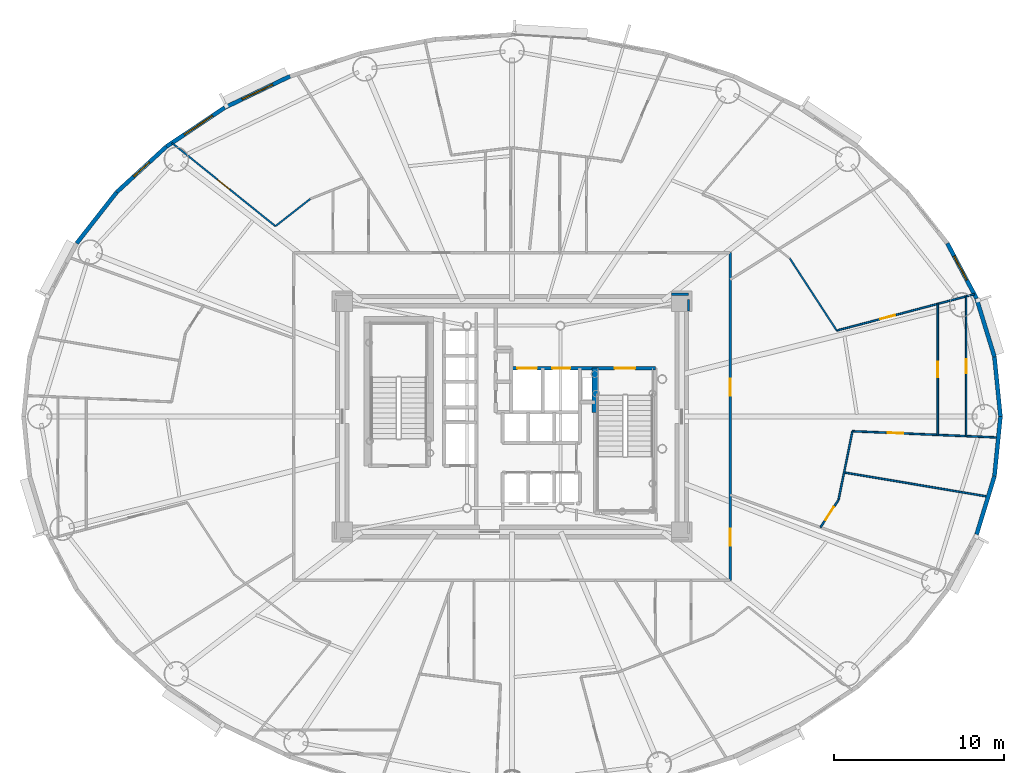
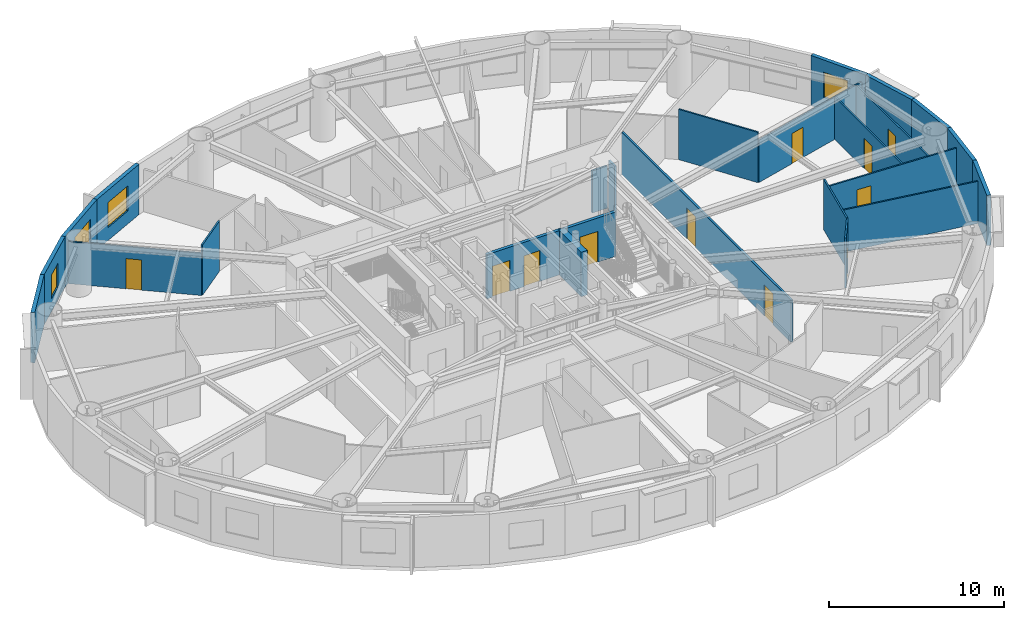
# One storey, part 11 of 18: 24 walls, 11 doors, 4 windows, 15 openings.
"""IFC4 building model written with IfcOpenShell, lengths in metres."""

from ifc_helpers import new_model, si_unit, direction, frame, frame_2d, origin, origin_2d, place, context, subcontext, project, spatial, rectangle, extrude, source, transform, mapped, material, layer, layer_set, type_object, element, fill, save


model = new_model("IFC4")

# Units and contexts
model_context = context("Model", 3, precision=1e-05, world=origin(), true_north=direction((0.0, 1.0)))
body_context = subcontext(model_context, "Body", "Model", "MODEL_VIEW")
ifc_project = project(units=[si_unit("LENGTHUNIT", "METRE"), si_unit("AREAUNIT", "SQUARE_METRE"), si_unit("VOLUMEUNIT", "CUBIC_METRE"), si_unit("PLANEANGLEUNIT", "RADIAN"), si_unit("MASSUNIT", "GRAM", prefix="KILO")], contexts=[model_context])

# Site, building, storey
site_placement = place(None, origin())
site = spatial("IfcSite", under=ifc_project, at=site_placement, CompositionType="ELEMENT")
building_placement = place(site_placement, origin())
building = spatial("IfcBuilding", under=site, at=building_placement, Name="Linh Dai School and Residence Tower", CompositionType="ELEMENT")
storey_placement = place(building_placement, frame((0.0, 0.0, 123.449951171875)))
storey = spatial("IfcBuildingStorey", under=building, at=storey_placement, Name="L29", CompositionType="ELEMENT", Elevation=123.449951171875)

# Walls
ifc_material_1 = material(Name="Precast Concrete B45 (C35/45)", Category="concrete")
ifc_layer_1 = layer(ifc_material_1, 0.239990234375)
ifc_layer_set_1 = layer_set([ifc_layer_1], Name="Precast Concrete B45 (C35/45)")
wall_type_1 = type_object("IfcWallType", Name="EW-TC-240", PredefinedType="SOLIDWALL", material=ifc_layer_set_1)
wall_1_placement = place(storey_placement, frame((64.421630859375, 30.515380859375, 0.0), z_axis=(0.0, 0.0, 1.0), x_axis=(0.099989468229, -0.994988495533, 0.0)))
element("IfcWall", 1, at=wall_1_placement, inside=storey, type_object=wall_type_1, Name="L29 Terracotta Exterior Wall 01", PredefinedType="SOLIDWALL", context=body_context, shape_type="SweptSolid", body=[
    extrude(rectangle(XDim=3.533203125, YDim=0.239990234375, at=frame_2d((1.7666015625, 0.0))), origin(), (0.0, 0.0, 1.0), 3.5),
])
wall_2_placement = place(storey_placement, frame((63.3701171875, 33.945068359375, 0.0), z_axis=(0.0, 0.0, 1.0), x_axis=(0.293124431344, -0.956074300329, 0.0)))
element("IfcWall", 2, at=wall_2_placement, inside=storey, type_object=wall_type_1, Name="L29 Terracotta Exterior Wall 02", PredefinedType="SOLIDWALL", context=body_context, shape_type="SweptSolid", body=[
    extrude(rectangle(XDim=3.587158203125, YDim=0.239990234375, at=frame_2d((1.79345703125, 0.0))), origin(), (0.0, 0.0, 1.0), 3.5),
])

# Wall, opening, window
wall_3_placement = place(storey_placement, frame((61.645263671875, 37.20556640625, 0.0), z_axis=(0.0, 0.0, 1.0), x_axis=(0.467614004126, -0.883932770716, 0.0)))
wall_3 = element("IfcWall", 3, at=wall_3_placement, inside=storey, type_object=wall_type_1, Name="L29 Terracotta Exterior Wall 03", PredefinedType="SOLIDWALL", context=body_context, shape_type="SweptSolid", body=[
    extrude(rectangle(XDim=3.688720703125, YDim=0.239990234375, at=frame_2d((1.84423828125, 0.0))), origin(), (0.0, 0.0, 1.0), 3.5),
])
opening_1_placement = place(wall_3_placement, frame((0.845947265625, 0.0, 0.89990234375)))
opening_1 = element("IfcOpeningElement", 4, at=opening_1_placement, cuts=wall_3, Name="Opening W2", PredefinedType="OPENING", context=body_context, shape_type="SweptSolid", body=[
    extrude(rectangle(XDim=1.60009765625, YDim=1.75, at=origin_2d()), frame((0.800048828125, 0.1298828125, 0.875), z_axis=(0.0, -1.0, 0.0), x_axis=(1.0, 0.0, 0.0)), (0.0, 0.0, 1.0), 0.260009765625),
])
ifc_material_2 = material(Name="Double Low-E Insulated Glazing", Category="glass")
window_type_1 = type_object("IfcWindowType", Name="WN-RES-1600x1750", PartitioningType="DOUBLE_PANEL_VERTICAL", PredefinedType="WINDOW", material=ifc_material_2)
shared_shape_1 = source(origin(), body_context, "Body", "SweptSolid", [
    extrude(rectangle(XDim=1.60009765625, YDim=1.75, at=origin_2d()), frame((0.800048828125, 0.030029296875, 0.875), z_axis=(0.0, -1.0, 0.0), x_axis=(1.0, 0.0, 0.0)), (0.0, 0.0, 1.0), 0.06005859375),
])
window_1_placement = place(opening_1_placement, origin())
window_1 = element("IfcWindow", 5, at=window_1_placement, inside=storey, type_object=window_type_1, Name="L29 Exterior Window 03.1", OverallHeight=1.75, OverallWidth=1.60009765625, PartitioningType="DOUBLE_PANEL_VERTICAL", PredefinedType="WINDOW", context=body_context, shape_type="MappedRepresentation", body=[
    mapped(shared_shape_1, transform((0.0, 0.0, 0.0), x_axis=(1.0, 0.0, 0.0), y_axis=(0.0, 1.0, 0.0), z_axis=(0.0, 0.0, 1.0), scale=1.0)),
])
fill(opening_1, window_1)

wall_4_placement = place(storey_placement, frame((19.07470703125, 45.199462890625, 0.0), z_axis=(0.0, 0.0, 1.0), x_axis=(0.901589935876, 0.432591709962, 0.0)))
wall_4 = element("IfcWall", 6, at=wall_4_placement, inside=storey, type_object=wall_type_1, Name="L29 Terracotta Exterior Wall 14", PredefinedType="SOLIDWALL", context=body_context, shape_type="SweptSolid", body=[
    extrude(rectangle(XDim=4.271728515625, YDim=0.239990234375, at=frame_2d((2.1357421875, 0.0))), origin(), (0.0, 0.0, 1.0), 3.5),
])
opening_2_placement = place(wall_4_placement, frame((1.135986328125, 0.0, 0.89990234375)))
opening_2 = element("IfcOpeningElement", 7, at=opening_2_placement, cuts=wall_4, Name="Opening W1", PredefinedType="OPENING", context=body_context, shape_type="SweptSolid", body=[
    extrude(rectangle(XDim=2.0, YDim=1.75, at=origin_2d()), frame((1.0, 0.1298828125, 0.875), z_axis=(0.0, -1.0, 0.0), x_axis=(1.0, 0.0, 0.0)), (0.0, 0.0, 1.0), 0.260009765625),
])
window_type_2 = type_object("IfcWindowType", Name="WN-RES-2000x1750", PartitioningType="DOUBLE_PANEL_VERTICAL", PredefinedType="WINDOW", material=ifc_material_2)
shared_shape_2 = source(origin(), body_context, "Body", "SweptSolid", [
    extrude(rectangle(XDim=2.0, YDim=1.75, at=origin_2d()), frame((1.0, 0.030029296875, 0.875), z_axis=(0.0, -1.0, 0.0), x_axis=(1.0, 0.0, 0.0)), (0.0, 0.0, 1.0), 0.06005859375),
])
window_2_placement = place(opening_2_placement, origin())
window_2 = element("IfcWindow", 8, at=window_2_placement, inside=storey, type_object=window_type_2, Name="L29 Exterior Window 14.1", OverallHeight=1.75, OverallWidth=2.0, PartitioningType="DOUBLE_PANEL_VERTICAL", PredefinedType="WINDOW", context=body_context, shape_type="MappedRepresentation", body=[
    mapped(shared_shape_2, transform((0.0, 0.0, 0.0), x_axis=(1.0, 0.0, 0.0), y_axis=(0.0, 1.0, 0.0), z_axis=(0.0, 0.0, 1.0), scale=1.0)),
])
fill(opening_2, window_2)

wall_5_placement = place(storey_placement, frame((15.6416015625, 42.9033203125, 0.0), z_axis=(0.0, 0.0, 1.0), x_axis=(0.831221811447, 0.555940914284, 0.0)))
wall_5 = element("IfcWall", 9, at=wall_5_placement, inside=storey, type_object=wall_type_1, Name="L29 Terracotta Exterior Wall 15", PredefinedType="SOLIDWALL", context=body_context, shape_type="SweptSolid", body=[
    extrude(rectangle(XDim=4.130126953125, YDim=0.239990234375, at=frame_2d((2.06494140625, 0.0))), origin(), (0.0, 0.0, 1.0), 3.5),
])
opening_3_placement = place(wall_5_placement, frame((1.275634765625, 0.0, 0.89990234375)))
opening_3 = element("IfcOpeningElement", 10, at=opening_3_placement, cuts=wall_5, Name="Opening W1", PredefinedType="OPENING", context=body_context, shape_type="SweptSolid", body=[
    extrude(rectangle(XDim=2.0, YDim=1.75, at=origin_2d()), frame((1.0, 0.1298828125, 0.875), z_axis=(0.0, -1.0, 0.0), x_axis=(1.0, 0.0, 0.0)), (0.0, 0.0, 1.0), 0.260009765625),
])
window_3_placement = place(opening_3_placement, origin())
window_3 = element("IfcWindow", 11, at=window_3_placement, inside=storey, type_object=window_type_2, Name="L29 Exterior Window 15.1", OverallHeight=1.75, OverallWidth=2.0, PartitioningType="DOUBLE_PANEL_VERTICAL", PredefinedType="WINDOW", context=body_context, shape_type="MappedRepresentation", body=[
    mapped(shared_shape_2, transform((0.0, 0.0, 0.0), x_axis=(1.0, 0.0, 0.0), y_axis=(0.0, 1.0, 0.0), z_axis=(0.0, 0.0, 1.0), scale=1.0)),
])
fill(opening_3, window_3)

wall_6_placement = place(storey_placement, frame((12.7109375, 40.216552734375, 0.0), z_axis=(0.0, 0.0, 1.0), x_axis=(0.737113356241, 0.675769117414, 0.0)))
wall_6 = element("IfcWall", 12, at=wall_6_placement, inside=storey, type_object=wall_type_1, Name="L29 Terracotta Exterior Wall 16", PredefinedType="SOLIDWALL", context=body_context, shape_type="SweptSolid", body=[
    extrude(rectangle(XDim=3.975830078125, YDim=0.239990234375, at=frame_2d((1.98779296875, 0.0))), origin(), (0.0, 0.0, 1.0), 3.5),
])
opening_4_placement = place(wall_6_placement, frame((1.363037109375, 0.0, 0.89990234375)))
opening_4 = element("IfcOpeningElement", 13, at=opening_4_placement, cuts=wall_6, Name="Opening W3", PredefinedType="OPENING", context=body_context, shape_type="SweptSolid", body=[
    extrude(rectangle(XDim=1.25, YDim=1.64990234375, at=origin_2d()), frame((0.625, 0.1298828125, 0.824951171875), z_axis=(0.0, -1.0, 0.0), x_axis=(1.0, 0.0, 0.0)), (0.0, 0.0, 1.0), 0.260009765625),
])
window_type_3 = type_object("IfcWindowType", Name="WN-RES-1250x1650", PartitioningType="SINGLE_PANEL", PredefinedType="WINDOW", material=ifc_material_2)
shared_shape_3 = source(origin(), body_context, "Body", "SweptSolid", [
    extrude(rectangle(XDim=1.25, YDim=1.64990234375, at=origin_2d()), frame((0.625, 0.030029296875, 0.824951171875), z_axis=(0.0, -1.0, 0.0), x_axis=(1.0, 0.0, 0.0)), (0.0, 0.0, 1.0), 0.06005859375),
])
window_4_placement = place(opening_4_placement, origin())
window_4 = element("IfcWindow", 14, at=window_4_placement, inside=storey, type_object=window_type_3, Name="L29 Dwelling Window U2902-LIV", OverallHeight=1.64990234375, OverallWidth=1.25, PartitioningType="SINGLE_PANEL", PredefinedType="WINDOW", context=body_context, shape_type="MappedRepresentation", body=[
    mapped(shared_shape_3, transform((0.0, 0.0, 0.0), x_axis=(1.0, 0.0, 0.0), y_axis=(0.0, 1.0, 0.0), z_axis=(0.0, 0.0, 1.0), scale=1.0)),
])
fill(opening_4, window_4)

# Walls
wall_7_placement = place(storey_placement, frame((10.354736328125, 37.20556640625, 0.0), z_axis=(0.0, 0.0, 1.0), x_axis=(0.616272103517, 0.787533297345, 0.0)))
element("IfcWall", 15, at=wall_7_placement, inside=storey, type_object=wall_type_1, Name="L29 Terracotta Exterior Wall 17", PredefinedType="SOLIDWALL", context=body_context, shape_type="SweptSolid", body=[
    extrude(rectangle(XDim=3.8232421875, YDim=0.239990234375, at=frame_2d((1.91162109375, 0.0))), origin(), (0.0, 0.0, 1.0), 3.5),
])
wall_8_placement = place(storey_placement, frame((64.421630859375, 23.484619140625, 0.0), z_axis=(0.0, 0.0, 1.0), x_axis=(-0.293124431344, -0.956074300329, 0.0)))
element("IfcWall", 16, at=wall_8_placement, inside=storey, type_object=wall_type_1, Name="L29 Terracotta Exterior Wall 39", PredefinedType="SOLIDWALL", context=body_context, shape_type="SweptSolid", body=[
    extrude(rectangle(XDim=3.587158203125, YDim=0.239990234375, at=frame_2d((1.79345703125, 0.0))), origin(), (0.0, 0.0, 1.0), 3.5),
])
wall_9_placement = place(storey_placement, frame((64.77490234375, 27.0, 0.0), z_axis=(0.0, 0.0, 1.0), x_axis=(-0.099989468229, -0.994988495533, 0.0)))
element("IfcWall", 17, at=wall_9_placement, inside=storey, type_object=wall_type_1, Name="L29 Terracotta Exterior Wall 40", PredefinedType="SOLIDWALL", context=body_context, shape_type="SweptSolid", body=[
    extrude(rectangle(XDim=3.533203125, YDim=0.239990234375, at=frame_2d((1.7666015625, 0.0))), origin(), (0.0, 0.0, 1.0), 3.5),
])

# Wall, openings, doors
ifc_material_3 = material(Name="Autoclaved Aerated Concrete Blockwork", Category="masonry")
ifc_layer_2 = layer(ifc_material_3, 0.135009765625)
ifc_layer_set_2 = layer_set([ifc_layer_2], Name="Autoclaved Aerated Concrete Blockwork")
wall_type_2 = type_object("IfcWallType", Name="IW-CORR-135-EI90", PredefinedType="PARTITIONING", material=ifc_layer_set_2)
wall_10_placement = place(storey_placement, frame((48.85009765625, 17.35009765625, 0.0), z_axis=(0.0, 0.0, 1.0), x_axis=(0.0, 1.0, 0.0)))
wall_10 = element("IfcWall", 18, at=wall_10_placement, inside=storey, type_object=wall_type_2, Name="L29 Interior Partition Wall 086", PredefinedType="PARTITIONING", context=body_context, shape_type="SweptSolid", body=[
    extrude(rectangle(XDim=19.2998046875, YDim=0.135009765625, at=frame_2d((9.64990234375, 0.0))), origin(), (0.0, 0.0, 1.0), 2.93505859375),
])
opening_5_placement = place(wall_10_placement, frame((2.036376953125, 0.0, 0.0)))
opening_5 = element("IfcOpeningElement", 19, at=opening_5_placement, cuts=wall_10, Name="Opening D03", PredefinedType="OPENING", context=body_context, shape_type="SweptSolid", body=[
    extrude(rectangle(XDim=1.0, YDim=2.14990234375, at=origin_2d()), frame((0.5, 0.07763671875, 1.074951171875), z_axis=(0.0, -1.0, 0.0), x_axis=(1.0, 0.0, 0.0)), (0.0, 0.0, 1.0), 0.155029296875),
])
opening_6_placement = place(wall_10_placement, frame((10.87451171875, 0.0, 0.0)))
opening_6 = element("IfcOpeningElement", 20, at=opening_6_placement, cuts=wall_10, Name="Opening D03", PredefinedType="OPENING", context=body_context, shape_type="SweptSolid", body=[
    extrude(rectangle(XDim=1.0, YDim=2.14990234375, at=origin_2d()), frame((0.5, 0.07763671875, 1.074951171875), z_axis=(0.0, -1.0, 0.0), x_axis=(1.0, 0.0, 0.0)), (0.0, 0.0, 1.0), 0.155029296875),
])
ifc_material_4 = material(Name="Fire-Rated Solid Timber Entrance Door", Category="wood")
door_type_1 = type_object("IfcDoorType", Name="DR-FLAT-1000x2150-FD60S", OperationType="NOTDEFINED", PredefinedType="DOOR", material=ifc_material_4)
shared_shape_4 = source(origin(), body_context, "Body", "SweptSolid", [
    extrude(rectangle(XDim=1.0, YDim=2.14990234375, at=origin_2d()), frame((0.5, 0.02490234375, 1.074951171875), z_axis=(0.0, -1.0, 0.0), x_axis=(1.0, 0.0, 0.0)), (0.0, 0.0, 1.0), 0.050048828125),
])
door_1_placement = place(opening_5_placement, origin())
door_1 = element("IfcDoor", 21, at=door_1_placement, inside=storey, type_object=door_type_1, Name="L29 U2906 Apartment Entrance Door", OperationType="SINGLE_SWING_RIGHT", OverallHeight=2.14990234375, OverallWidth=1.0, PredefinedType="DOOR", context=body_context, shape_type="MappedRepresentation", body=[
    mapped(shared_shape_4, transform((0.0, 0.0, 0.0), x_axis=(1.0, 0.0, 0.0), y_axis=(0.0, 1.0, 0.0), z_axis=(0.0, 0.0, 1.0), scale=1.0)),
])
fill(opening_5, door_1)
door_2_placement = place(opening_6_placement, origin())
door_2 = element("IfcDoor", 22, at=door_2_placement, inside=storey, type_object=door_type_1, Name="L29 U2907 Apartment Entrance Door", OperationType="SINGLE_SWING_RIGHT", OverallHeight=2.14990234375, OverallWidth=1.0, PredefinedType="DOOR", context=body_context, shape_type="MappedRepresentation", body=[
    mapped(shared_shape_4, transform((0.0, 0.0, 0.0), x_axis=(1.0, 0.0, 0.0), y_axis=(0.0, 1.0, 0.0), z_axis=(0.0, 0.0, 1.0), scale=1.0)),
])
fill(opening_6, door_2)

# Walls
wall_11_placement = place(storey_placement, frame((46.39990234375, 34.199951171875, 0.0), z_axis=(0.0, 0.0, 1.0), x_axis=(-1.0, 0.0, 0.0)))
element("IfcWall", 23, at=wall_11_placement, inside=storey, type_object=wall_type_2, Name="L29 Interior Partition Wall 110", PredefinedType="PARTITIONING", context=body_context, shape_type="SweptSolid", body=[
    extrude(rectangle(XDim=0.989990234375, YDim=0.135009765625, at=frame_2d((0.4951171875, 0.0))), origin(), (0.0, 0.0, 1.0), 2.93505859375),
])
wall_12_placement = place(storey_placement, frame((46.39990234375, 33.2099609375, 0.0), z_axis=(0.0, 0.0, 1.0), x_axis=(0.0, 1.0, 0.0)))
element("IfcWall", 24, at=wall_12_placement, inside=storey, type_object=wall_type_2, Name="L29 Interior Partition Wall 117", PredefinedType="PARTITIONING", context=body_context, shape_type="SweptSolid", body=[
    extrude(rectangle(XDim=0.6826171875, YDim=0.135009765625, at=frame_2d((0.34130859375, 0.0))), origin(), (0.0, 0.0, 1.0), 3.5),
])

# Wall, openings, doors
ifc_material_5 = material(Name="Concrete B45 (C35/45)", Category="concrete")
ifc_layer_3 = layer(ifc_material_5, 0.199951171875)
ifc_layer_set_3 = layer_set([ifc_layer_3], Name="Concrete B45 (C35/45)")
wall_type_3 = type_object("IfcWallType", Name="IW-SHAFT-200-EI120", PredefinedType="PARTITIONING", material=ifc_layer_set_3)
wall_13_placement = place(storey_placement, frame((35.949951171875, 29.85009765625, 0.0), z_axis=(0.0, 0.0, 1.0), x_axis=(1.0, 0.0, 0.0)))
wall_13 = element("IfcWall", 25, at=wall_13_placement, inside=storey, type_object=wall_type_3, Name="L29 Interior Partition Wall 055", PredefinedType="PARTITIONING", context=body_context, shape_type="SweptSolid", body=[
    extrude(rectangle(XDim=8.489990234375, YDim=0.199951171875, at=frame_2d((4.2451171875, 0.0))), origin(), (0.0, 0.0, 1.0), 3.0849609375),
])
opening_7_placement = place(wall_13_placement, frame((6.10009765625, 0.0, 0.0)))
opening_7 = element("IfcOpeningElement", 26, at=opening_7_placement, cuts=wall_13, Name="Opening D01", PredefinedType="OPENING", context=body_context, shape_type="SweptSolid", body=[
    extrude(rectangle(XDim=1.199951171875, YDim=2.14990234375, at=origin_2d()), frame((0.60009765625, 0.10986328125, 1.074951171875), z_axis=(0.0, -1.0, 0.0), x_axis=(1.0, 0.0, 0.0)), (0.0, 0.0, 1.0), 0.219970703125),
])
opening_8_placement = place(wall_13_placement, frame((0.3701171875, 0.0, 0.0)))
opening_8 = element("IfcOpeningElement", 27, at=opening_8_placement, cuts=wall_13, Name="Opening LD-FF1", PredefinedType="OPENING", context=body_context, shape_type="SweptSolid", body=[
    extrude(rectangle(XDim=1.14990234375, YDim=2.14990234375, at=origin_2d()), frame((0.574951171875, 0.10986328125, 1.074951171875), z_axis=(0.0, -1.0, 0.0), x_axis=(1.0, 0.0, 0.0)), (0.0, 0.0, 1.0), 0.219970703125),
])
opening_9_placement = place(wall_13_placement, frame((2.425048828125, 0.0, 0.0)))
opening_9 = element("IfcOpeningElement", 28, at=opening_9_placement, cuts=wall_13, Name="Opening LD-SV1", PredefinedType="OPENING", context=body_context, shape_type="SweptSolid", body=[
    extrude(rectangle(XDim=1.050048828125, YDim=2.14990234375, at=origin_2d()), frame((0.52490234375, 0.10986328125, 1.074951171875), z_axis=(0.0, -1.0, 0.0), x_axis=(1.0, 0.0, 0.0)), (0.0, 0.0, 1.0), 0.219970703125),
])
ifc_material_6 = material(Name="Fire-Rated Steel Door Leaf", Category="steel")
door_type_2 = type_object("IfcDoorType", Name="DR-STAIR-1200x2150-FD90S", OperationType="NOTDEFINED", PredefinedType="DOOR", material=ifc_material_6)
shared_shape_5 = source(origin(), body_context, "Body", "SweptSolid", [
    extrude(rectangle(XDim=1.199951171875, YDim=2.14990234375, at=origin_2d()), frame((0.60009765625, 0.02490234375, 1.074951171875), z_axis=(0.0, -1.0, 0.0), x_axis=(1.0, 0.0, 0.0)), (0.0, 0.0, 1.0), 0.050048828125),
])
door_3_placement = place(opening_7_placement, origin())
door_3 = element("IfcDoor", 29, at=door_3_placement, inside=storey, type_object=door_type_2, Name="L29 Core Smokeproof Exit Stair ST2 Door", OperationType="SINGLE_SWING_RIGHT", OverallHeight=2.14990234375, OverallWidth=1.199951171875, PredefinedType="DOOR", context=body_context, shape_type="MappedRepresentation", body=[
    mapped(shared_shape_5, transform((0.0, 0.0, 0.0), x_axis=(1.0, 0.0, 0.0), y_axis=(0.0, 1.0, 0.0), z_axis=(0.0, 0.0, 1.0), scale=1.0)),
])
fill(opening_7, door_3)
ifc_material_7 = material(Name="Fire-Rated Stainless Steel Firefighting Lift Door", Category="steel")
door_type_3 = type_object("IfcDoorType", Name="DR-LD-FF-1150x2150-FD120", OperationType="DOUBLE_DOOR_SLIDING", PredefinedType="USERDEFINED", material=ifc_material_7)
shared_shape_6 = source(origin(), body_context, "Body", "SweptSolid", [
    extrude(rectangle(XDim=1.14990234375, YDim=2.14990234375, at=origin_2d()), frame((0.574951171875, 0.02490234375, 1.074951171875), z_axis=(0.0, -1.0, 0.0), x_axis=(1.0, 0.0, 0.0)), (0.0, 0.0, 1.0), 0.050048828125),
])
door_4_placement = place(opening_8_placement, origin())
door_4 = element("IfcDoor", 30, at=door_4_placement, inside=storey, type_object=door_type_3, Name="L29 Lift FF1 Sliding Landing Door", ObjectType="LANDING DOOR", OperationType="DOUBLE_DOOR_SLIDING", OverallHeight=2.14990234375, OverallWidth=1.14990234375, PredefinedType="USERDEFINED", context=body_context, shape_type="MappedRepresentation", body=[
    mapped(shared_shape_6, transform((0.0, 0.0, 0.0), x_axis=(1.0, 0.0, 0.0), y_axis=(0.0, 1.0, 0.0), z_axis=(0.0, 0.0, 1.0), scale=1.0)),
])
fill(opening_8, door_4)
ifc_material_8 = material(Name="Brushed Stainless Steel Lift Landing Door", Category="steel")
door_type_4 = type_object("IfcDoorType", Name="DR-LD-PASS-1050x2150", OperationType="DOUBLE_DOOR_SLIDING", PredefinedType="USERDEFINED", material=ifc_material_8)
shared_shape_7 = source(origin(), body_context, "Body", "SweptSolid", [
    extrude(rectangle(XDim=1.050048828125, YDim=2.14990234375, at=origin_2d()), frame((0.52490234375, 0.02490234375, 1.074951171875), z_axis=(0.0, -1.0, 0.0), x_axis=(1.0, 0.0, 0.0)), (0.0, 0.0, 1.0), 0.050048828125),
])
door_5_placement = place(opening_9_placement, origin())
door_5 = element("IfcDoor", 31, at=door_5_placement, inside=storey, type_object=door_type_4, Name="L29 Lift SV1 Sliding Landing Door", ObjectType="LANDING DOOR", OperationType="DOUBLE_DOOR_SLIDING", OverallHeight=2.14990234375, OverallWidth=1.050048828125, PredefinedType="USERDEFINED", context=body_context, shape_type="MappedRepresentation", body=[
    mapped(shared_shape_7, transform((0.0, 0.0, 0.0), x_axis=(1.0, 0.0, 0.0), y_axis=(0.0, 1.0, 0.0), z_axis=(0.0, 0.0, 1.0), scale=1.0)),
])
fill(opening_9, door_5)

# Wall, opening, door
ifc_material_9 = material(Name="Gypsum Plasterboard Acoustic Stud Partition", Category="masonry")
ifc_layer_4 = layer(ifc_material_9, 0.10009765625)
ifc_layer_set_4 = layer_set([ifc_layer_4], Name="Gypsum Plasterboard Acoustic Stud Partition")
wall_type_4 = type_object("IfcWallType", Name="IW-UNIT-100", PredefinedType="PARTITIONING", material=ifc_layer_set_4)
wall_14_placement = place(storey_placement, frame((15.962646484375, 43.1240234375, 0.0), z_axis=(0.0, 0.0, 1.0), x_axis=(0.779083359145, -0.626920345421, 0.0)))
wall_14 = element("IfcWall", 32, at=wall_14_placement, inside=storey, type_object=wall_type_4, Name="L29 Interior Partition Wall 009", PredefinedType="PARTITIONING", context=body_context, shape_type="SweptSolid", body=[
    extrude(rectangle(XDim=7.831298828125, YDim=0.10009765625, at=frame_2d((3.91552734375, 0.0))), origin(), (0.0, 0.0, 1.0), 2.93505859375),
])
opening_10_placement = place(wall_14_placement, frame((3.4658203125, 0.0, 0.0)))
opening_10 = element("IfcOpeningElement", 33, at=opening_10_placement, cuts=wall_14, Name="Opening D05", PredefinedType="OPENING", context=body_context, shape_type="SweptSolid", body=[
    extrude(rectangle(XDim=0.89990234375, YDim=2.10009765625, at=origin_2d()), frame((0.449951171875, 0.06005859375, 1.050048828125), z_axis=(0.0, -1.0, 0.0), x_axis=(1.0, 0.0, 0.0)), (0.0, 0.0, 1.0), 0.1201171875),
])
ifc_material_10 = material(Name="Engineered Timber Internal Door", Category="wood")
door_type_5 = type_object("IfcDoorType", Name="DR-INT-900x2100", OperationType="NOTDEFINED", PredefinedType="DOOR", material=ifc_material_10)
shared_shape_8 = source(origin(), body_context, "Body", "SweptSolid", [
    extrude(rectangle(XDim=0.89990234375, YDim=2.10009765625, at=origin_2d()), frame((0.449951171875, 0.02490234375, 1.050048828125), z_axis=(0.0, -1.0, 0.0), x_axis=(1.0, 0.0, 0.0)), (0.0, 0.0, 1.0), 0.050048828125),
])
door_6_placement = place(opening_10_placement, origin())
door_6 = element("IfcDoor", 34, at=door_6_placement, inside=storey, type_object=door_type_5, Name="L29 Apartment U2902 Principal Bedroom 1 Door", OperationType="SINGLE_SWING_RIGHT", OverallHeight=2.10009765625, OverallWidth=0.89990234375, PredefinedType="DOOR", context=body_context, shape_type="MappedRepresentation", body=[
    mapped(shared_shape_8, transform((0.0, 0.0, 0.0), x_axis=(1.0, 0.0, 0.0), y_axis=(0.0, 1.0, 0.0), z_axis=(0.0, 0.0, 1.0), scale=1.0)),
])
fill(opening_10, door_6)

# Walls
wall_15_placement = place(storey_placement, frame((22.06396484375, 38.21435546875, 0.0), z_axis=(0.0, 0.0, 1.0), x_axis=(0.787364158956, 0.616488184146, 0.0)))
element("IfcWall", 35, at=wall_15_placement, inside=storey, type_object=wall_type_4, Name="L29 Interior Partition Wall 015", PredefinedType="PARTITIONING", context=body_context, shape_type="SweptSolid", body=[
    extrude(rectangle(XDim=2.597412109375, YDim=0.10009765625, at=frame_2d((1.298828125, 0.0))), origin(), (0.0, 0.0, 1.0), 3.5),
])
wall_16_placement = place(storey_placement, frame((52.366455078125, 36.31103515625, 0.0), z_axis=(0.0, 0.0, 1.0), x_axis=(0.545394651961, -0.838179380331, 0.0)))
element("IfcWall", 36, at=wall_16_placement, inside=storey, type_object=wall_type_4, Name="L29 Interior Partition Wall 090", PredefinedType="PARTITIONING", context=body_context, shape_type="SweptSolid", body=[
    extrude(rectangle(XDim=5.068115234375, YDim=0.10009765625, at=frame_2d((2.5341796875, 0.0))), origin(), (0.0, 0.0, 1.0), 3.5),
])

# Wall, opening, door
wall_17_placement = place(storey_placement, frame((54.175537109375, 20.468994140625, 0.0), z_axis=(0.0, 0.0, 1.0), x_axis=(0.545370803514, 0.838194897786, 0.0)))
wall_17 = element("IfcWall", 37, at=wall_17_placement, inside=storey, type_object=wall_type_4, Name="L29 Interior Partition Wall 091", PredefinedType="PARTITIONING", context=body_context, shape_type="SweptSolid", body=[
    extrude(rectangle(XDim=1.951904296875, YDim=0.10009765625, at=frame_2d((0.97607421875, 0.0))), origin(), (0.0, 0.0, 1.0), 3.5),
])
opening_11_placement = place(wall_17_placement, frame((0.52587890625, 0.0, 0.0)))
opening_11 = element("IfcOpeningElement", 38, at=opening_11_placement, cuts=wall_17, Name="Opening D05", PredefinedType="OPENING", context=body_context, shape_type="SweptSolid", body=[
    extrude(rectangle(XDim=0.89990234375, YDim=2.10009765625, at=origin_2d()), frame((0.449951171875, 0.06005859375, 1.050048828125), z_axis=(0.0, -1.0, 0.0), x_axis=(1.0, 0.0, 0.0)), (0.0, 0.0, 1.0), 0.1201171875),
])
door_7_placement = place(opening_11_placement, origin())
door_7 = element("IfcDoor", 39, at=door_7_placement, inside=storey, type_object=door_type_5, Name="L29 Apartment U2907 Principal Bedroom 1 Door", OperationType="SINGLE_SWING_LEFT", OverallHeight=2.10009765625, OverallWidth=0.89990234375, PredefinedType="DOOR", context=body_context, shape_type="MappedRepresentation", body=[
    mapped(shared_shape_8, transform((0.0, 0.0, 0.0), x_axis=(1.0, 0.0, 0.0), y_axis=(0.0, 1.0, 0.0), z_axis=(0.0, 0.0, 1.0), scale=1.0)),
])
fill(opening_11, door_7)

wall_18_placement = place(storey_placement, frame((55.130615234375, 32.06298828125, 0.0), z_axis=(0.0, 0.0, 1.0), x_axis=(0.96671793708, 0.255844542893, 0.0)))
wall_18 = element("IfcWall", 40, at=wall_18_placement, inside=storey, type_object=wall_type_4, Name="L29 Interior Partition Wall 092", PredefinedType="PARTITIONING", context=body_context, shape_type="SweptSolid", body=[
    extrude(rectangle(XDim=8.385009765625, YDim=0.10009765625, at=frame_2d((4.1923828125, 0.0))), origin(), (0.0, 0.0, 1.0), 2.93505859375),
])
opening_12_placement = place(wall_18_placement, frame((2.64990234375, 0.0, 0.0)))
opening_12 = element("IfcOpeningElement", 41, at=opening_12_placement, cuts=wall_18, Name="Opening D05", PredefinedType="OPENING", context=body_context, shape_type="SweptSolid", body=[
    extrude(rectangle(XDim=0.89990234375, YDim=2.10009765625, at=origin_2d()), frame((0.449951171875, 0.06005859375, 1.050048828125), z_axis=(0.0, -1.0, 0.0), x_axis=(1.0, 0.0, 0.0)), (0.0, 0.0, 1.0), 0.1201171875),
])
door_8_placement = place(opening_12_placement, origin())
door_8 = element("IfcDoor", 42, at=door_8_placement, inside=storey, type_object=door_type_5, Name="L29 Apartment U2907 Principal Bedroom 2 Door", OperationType="SINGLE_SWING_LEFT", OverallHeight=2.10009765625, OverallWidth=0.89990234375, PredefinedType="DOOR", context=body_context, shape_type="MappedRepresentation", body=[
    mapped(shared_shape_8, transform((0.0, 0.0, 0.0), x_axis=(1.0, 0.0, 0.0), y_axis=(0.0, 1.0, 0.0), z_axis=(0.0, 0.0, 1.0), scale=1.0)),
])
fill(opening_12, door_8)

# Walls
wall_19_placement = place(storey_placement, frame((55.239990234375, 22.10498046875, 0.0), z_axis=(0.0, 0.0, 1.0), x_axis=(0.198205355444, 0.980160515973, 0.0)))
element("IfcWall", 43, at=wall_19_placement, inside=storey, type_object=wall_type_4, Name="L29 Interior Partition Wall 093", PredefinedType="PARTITIONING", context=body_context, shape_type="SweptSolid", body=[
    extrude(rectangle(XDim=4.111572265625, YDim=0.10009765625, at=frame_2d((2.0556640625, 0.0))), origin(), (0.0, 0.0, 1.0), 3.5),
])
wall_20_placement = place(storey_placement, frame((55.564208984375, 23.7080078125, 0.0), z_axis=(0.0, 0.0, 1.0), x_axis=(0.986139151265, -0.165920385556, 0.0)))
element("IfcWall", 44, at=wall_20_placement, inside=storey, type_object=wall_type_4, Name="L29 Interior Partition Wall 094", PredefinedType="PARTITIONING", context=body_context, shape_type="SweptSolid", body=[
    extrude(rectangle(XDim=8.6123046875, YDim=0.10009765625, at=frame_2d((4.30615234375, 0.0))), origin(), (0.0, 0.0, 1.0), 2.93505859375),
])

# Wall, opening, door
wall_21_placement = place(storey_placement, frame((56.054931640625, 26.134765625, 0.0), z_axis=(0.0, 0.0, 1.0), x_axis=(0.999070497197, -0.043106166957, 0.0)))
wall_21 = element("IfcWall", 45, at=wall_21_placement, inside=storey, type_object=wall_type_4, Name="L29 Interior Partition Wall 095", PredefinedType="PARTITIONING", context=body_context, shape_type="SweptSolid", body=[
    extrude(rectangle(XDim=8.60888671875, YDim=0.10009765625, at=frame_2d((4.304443359375, 0.0))), origin(), (0.0, 0.0, 1.0), 2.93505859375),
])
opening_13_placement = place(wall_21_placement, frame((2.087646484375, 0.0, 0.0)))
opening_13 = element("IfcOpeningElement", 46, at=opening_13_placement, cuts=wall_21, Name="Opening D05", PredefinedType="OPENING", context=body_context, shape_type="SweptSolid", body=[
    extrude(rectangle(XDim=0.89990234375, YDim=2.10009765625, at=origin_2d()), frame((0.449951171875, 0.06005859375, 1.050048828125), z_axis=(0.0, -1.0, 0.0), x_axis=(1.0, 0.0, 0.0)), (0.0, 0.0, 1.0), 0.1201171875),
])
door_9_placement = place(opening_13_placement, origin())
door_9 = element("IfcDoor", 47, at=door_9_placement, inside=storey, type_object=door_type_5, Name="L29 Apartment U2907 Study Door", OperationType="SINGLE_SWING_RIGHT", OverallHeight=2.10009765625, OverallWidth=0.89990234375, PredefinedType="DOOR", context=body_context, shape_type="MappedRepresentation", body=[
    mapped(shared_shape_8, transform((0.0, 0.0, 0.0), x_axis=(1.0, 0.0, 0.0), y_axis=(0.0, 1.0, 0.0), z_axis=(0.0, 0.0, 1.0), scale=1.0)),
])
fill(opening_13, door_9)

wall_22_placement = place(storey_placement, frame((61.08544921875, 25.917724609375, 0.0), z_axis=(0.0, 0.0, 1.0), x_axis=(0.0, 1.0, 0.0)))
wall_22 = element("IfcWall", 48, at=wall_22_placement, inside=storey, type_object=wall_type_4, Name="L29 Interior Partition Wall 096", PredefinedType="PARTITIONING", context=body_context, shape_type="SweptSolid", body=[
    extrude(rectangle(XDim=7.72119140625, YDim=0.10009765625, at=frame_2d((3.860595703125, 0.0))), origin(), (0.0, 0.0, 1.0), 2.93505859375),
])
opening_14_placement = place(wall_22_placement, frame((3.41064453125, 0.0, 0.0)))
opening_14 = element("IfcOpeningElement", 49, at=opening_14_placement, cuts=wall_22, Name="Opening D05", PredefinedType="OPENING", context=body_context, shape_type="SweptSolid", body=[
    extrude(rectangle(XDim=0.89990234375, YDim=2.10009765625, at=origin_2d()), frame((0.449951171875, 0.06005859375, 1.050048828125), z_axis=(0.0, -1.0, 0.0), x_axis=(1.0, 0.0, 0.0)), (0.0, 0.0, 1.0), 0.1201171875),
])
door_10_placement = place(opening_14_placement, origin())
door_10 = element("IfcDoor", 50, at=door_10_placement, inside=storey, type_object=door_type_5, Name="L29 Apartment U2907 Kitchen Door", OperationType="SINGLE_SWING_RIGHT", OverallHeight=2.10009765625, OverallWidth=0.89990234375, PredefinedType="DOOR", context=body_context, shape_type="MappedRepresentation", body=[
    mapped(shared_shape_8, transform((0.0, 0.0, 0.0), x_axis=(1.0, 0.0, 0.0), y_axis=(0.0, 1.0, 0.0), z_axis=(0.0, 0.0, 1.0), scale=1.0)),
])
fill(opening_14, door_10)

wall_23_placement = place(storey_placement, frame((62.75390625, 25.845703125, 0.0), z_axis=(0.0, 0.0, 1.0), x_axis=(0.0, 1.0, 0.0)))
wall_23 = element("IfcWall", 51, at=wall_23_placement, inside=storey, type_object=wall_type_4, Name="L29 Interior Partition Wall 097", PredefinedType="PARTITIONING", context=body_context, shape_type="SweptSolid", body=[
    extrude(rectangle(XDim=8.23486328125, YDim=0.10009765625, at=frame_2d((4.117431640625, 0.0))), origin(), (0.0, 0.0, 1.0), 2.93505859375),
])
opening_15_placement = place(wall_23_placement, frame((3.70751953125, 0.0, 0.0)))
opening_15 = element("IfcOpeningElement", 52, at=opening_15_placement, cuts=wall_23, Name="Opening D06", PredefinedType="OPENING", context=body_context, shape_type="SweptSolid", body=[
    extrude(rectangle(XDim=0.820068359375, YDim=2.10009765625, at=origin_2d()), frame((0.41015625, 0.06005859375, 1.050048828125), z_axis=(0.0, -1.0, 0.0), x_axis=(1.0, 0.0, 0.0)), (0.0, 0.0, 1.0), 0.1201171875),
])
ifc_material_11 = material(Name="Moisture-Resistant Timber Bathroom Door", Category="wood")
door_type_6 = type_object("IfcDoorType", Name="DR-WET-820x2100", OperationType="NOTDEFINED", PredefinedType="DOOR", material=ifc_material_11)
shared_shape_9 = source(origin(), body_context, "Body", "SweptSolid", [
    extrude(rectangle(XDim=0.820068359375, YDim=2.10009765625, at=origin_2d()), frame((0.41015625, 0.02490234375, 1.050048828125), z_axis=(0.0, -1.0, 0.0), x_axis=(1.0, 0.0, 0.0)), (0.0, 0.0, 1.0), 0.050048828125),
])
door_11_placement = place(opening_15_placement, origin())
door_11 = element("IfcDoor", 53, at=door_11_placement, inside=storey, type_object=door_type_6, Name="L29 Apartment U2907 Bathroom 1 Door", OperationType="SINGLE_SWING_LEFT", OverallHeight=2.10009765625, OverallWidth=0.820068359375, PredefinedType="DOOR", context=body_context, shape_type="MappedRepresentation", body=[
    mapped(shared_shape_9, transform((0.0, 0.0, 0.0), x_axis=(1.0, 0.0, 0.0), y_axis=(0.0, 1.0, 0.0), z_axis=(0.0, 0.0, 1.0), scale=1.0)),
])
fill(opening_15, door_11)

# Wall
ifc_layer_5 = layer(ifc_material_5, 0.39990234375)
ifc_layer_set_5 = layer_set([ifc_layer_5], Name="Concrete B45 (C35/45)")
wall_type_5 = type_object("IfcWallType", Name="WL-CORE400", PredefinedType="SHEAR", material=ifc_layer_set_5)
wall_24_placement = place(storey_placement, frame((40.89990234375, 27.25, 0.0), z_axis=(0.0, 0.0, 1.0), x_axis=(0.0, 1.0, 0.0)))
element("IfcWall", 54, at=wall_24_placement, inside=storey, type_object=wall_type_5, Name="L29 Internal Core Shear Wall IE", PredefinedType="SHEAR", context=body_context, shape_type="SweptSolid", body=[
    extrude(rectangle(XDim=2.60009765625, YDim=0.39990234375, at=frame_2d((1.300048828125, 0.0))), origin(), (0.0, 0.0, 1.0), 3.10009765625),
])

save(model, "model.ifc")
